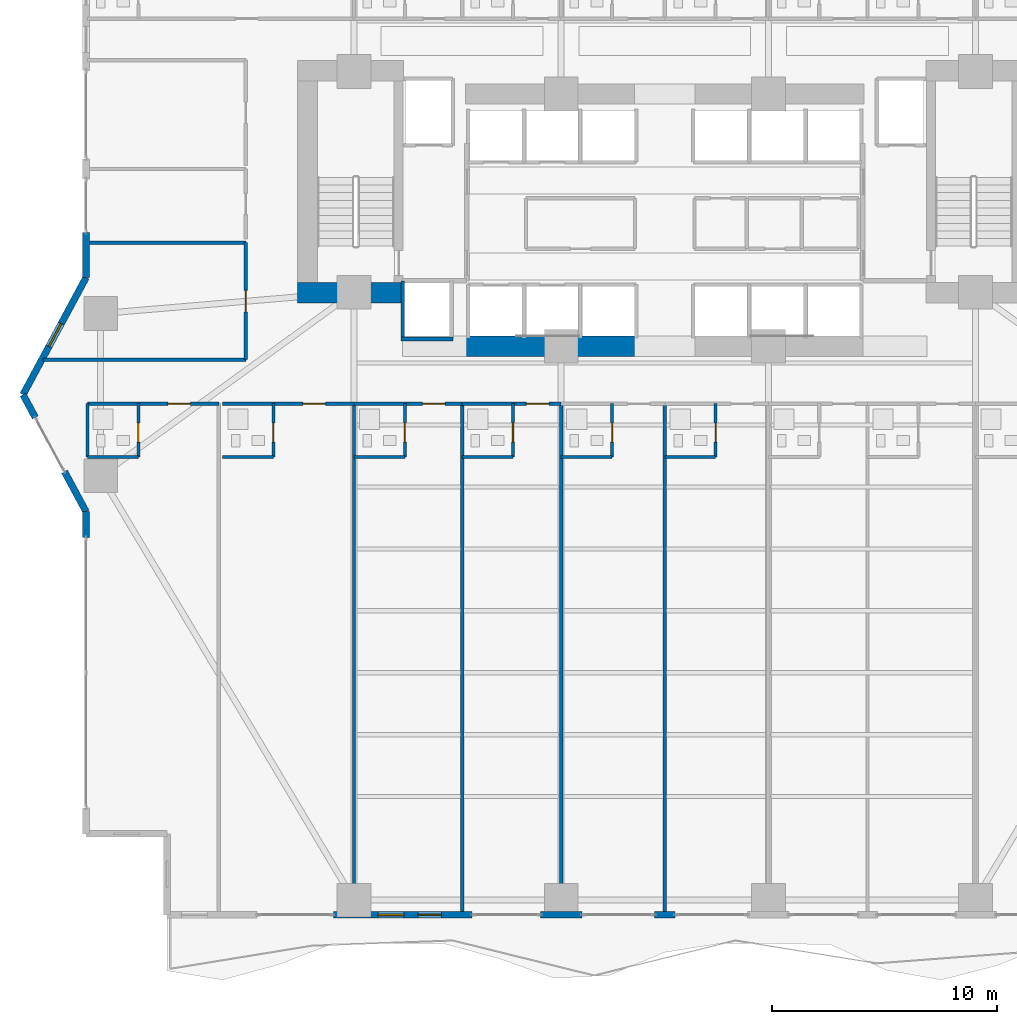
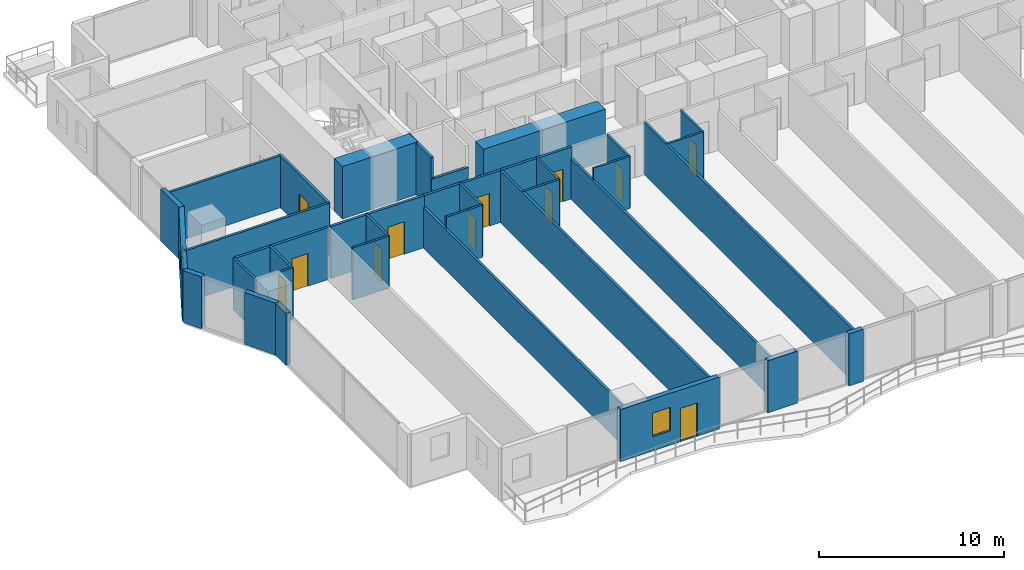
# One storey, part 19 of 29: 36 walls, 12 doors, 2 windows, 14 openings.
"""IFC4 building model written with IfcOpenShell, lengths in metres."""

from ifc_helpers import new_model, si_unit, direction, frame, frame_2d, origin, place, context, subcontext, project, spatial, rectangle, extrude, material, layer, layer_set, type_object, element, fill, save


model = new_model("IFC4")

# Units and contexts
model_context = context("Model", 3, precision=1e-05, world=origin(), true_north=direction((0.0, 1.0)))
body_context = subcontext(model_context, "Body", "Model", "MODEL_VIEW")
ifc_project = project(units=[si_unit("LENGTHUNIT", "METRE"), si_unit("AREAUNIT", "SQUARE_METRE"), si_unit("VOLUMEUNIT", "CUBIC_METRE"), si_unit("PLANEANGLEUNIT", "RADIAN"), si_unit("MASSUNIT", "GRAM", prefix="KILO")], contexts=[model_context])

# Site, building, storey
site_placement = place(None, origin())
site = spatial("IfcSite", under=ifc_project, at=site_placement, CompositionType="ELEMENT")
building_placement = place(site_placement, origin())
building = spatial("IfcBuilding", under=site, at=building_placement, Name="Zuhayl Quay Hotel", CompositionType="ELEMENT")
storey_placement = place(building_placement, frame((0.0, 0.0, 67.75)))
storey = spatial("IfcBuildingStorey", under=building, at=storey_placement, Name="L16", CompositionType="ELEMENT", Elevation=67.75)

# Walls
ifc_material_1 = material(Name="Concrete C70/85", Category="concrete")
ifc_layer_1 = layer(ifc_material_1, 0.89990234375, Name="Concrete C70/85", Category="concrete")
ifc_layer_set_1 = layer_set([ifc_layer_1], Name="Concrete C70/85")
wall_type_1 = type_object("IfcWallType", Name="WL_CORE_900", PredefinedType="SHEAR", material=ifc_layer_set_1)
wall_1_placement = place(storey_placement, frame((-16.31005859375, 4.52001953125, 0.0), z_axis=(0.0, 0.0, 1.0), x_axis=(1.0, 0.0, 0.0)))
element("IfcWall", 1, at=wall_1_placement, inside=storey, type_object=wall_type_1, Name="L16 Core Shear Wall CW_SW", PredefinedType="SHEAR", context=body_context, shape_type="SweptSolid", body=[
    extrude(rectangle(XDim=4.7099609375, YDim=0.89990234375, at=frame_2d((2.35498046875, 0.0))), origin(), (0.0, 0.0, 1.0), 3.4599609375),
])
wall_2_placement = place(storey_placement, frame((-8.85009765625, 2.14990234375, 0.0), z_axis=(0.0, 0.0, 1.0), x_axis=(1.0, 0.0, 0.0)))
element("IfcWall", 2, at=wall_2_placement, inside=storey, type_object=wall_type_1, Name="L16 Core Shear Wall CW_SC_W", PredefinedType="SHEAR", context=body_context, shape_type="SweptSolid", body=[
    extrude(rectangle(XDim=7.60009765625, YDim=0.89990234375, at=frame_2d((3.800048828125, 0.0))), origin(), (0.0, 0.0, 1.0), 3.429931640625),
])
ifc_material_2 = material(Name="Precast concrete C45/55", Category="concrete")
ifc_layer_2 = layer(ifc_material_2, 0.300048828125, Name="Precast concrete C45/55", Category="concrete")
ifc_layer_set_2 = layer_set([ifc_layer_2], Name="Precast concrete C45/55")
wall_type_2 = type_object("IfcWallType", Name="WL_EXT_300", PredefinedType="STANDARD", material=ifc_layer_set_2)
wall_3_placement = place(storey_placement, frame((-25.699951171875, -6.35009765625, 0.0), z_axis=(0.0, 0.0, 1.0), x_axis=(0.0, 1.0, 0.0)))
element("IfcWall", 3, at=wall_3_placement, inside=storey, type_object=wall_type_2, Name="L16 Exterior Precast Wall ENV_L16_E02_EW2", PredefinedType="STANDARD", context=body_context, shape_type="SweptSolid", body=[
    extrude(rectangle(XDim=1.150146484375, YDim=0.300048828125, at=frame_2d((0.5751953125, 0.0))), origin(), (0.0, 0.0, 1.0), 3.429931640625),
])
wall_4_placement = place(storey_placement, frame((-25.699951171875, -5.199951171875, 0.0), z_axis=(0.0, 0.0, 1.0), x_axis=(-0.474121438562, 0.88045946045, 0.0)))
element("IfcWall", 4, at=wall_4_placement, inside=storey, type_object=wall_type_2, Name="L16 Exterior Precast Wall ENV_L16_E03_EW1", PredefinedType="STANDARD", context=body_context, shape_type="SweptSolid", body=[
    extrude(rectangle(XDim=2.0205078125, YDim=0.300048828125, at=frame_2d((1.01025390625, 0.0))), origin(), (0.0, 0.0, 1.0), 3.429931640625),
])
wall_5_placement = place(storey_placement, frame((-27.954833984375, -1.012451171875, 0.0), z_axis=(0.0, 0.0, 1.0), x_axis=(-0.474099823035, 0.880471099922, 0.0)))
element("IfcWall", 5, at=wall_5_placement, inside=storey, type_object=wall_type_2, Name="L16 Exterior Precast Wall ENV_L16_E03_EW2", PredefinedType="STANDARD", context=body_context, shape_type="SweptSolid", body=[
    extrude(rectangle(XDim=1.14990234375, YDim=0.300048828125, at=frame_2d((0.574951171875, 0.0))), origin(), (0.0, 0.0, 1.0), 3.429931640625),
])

# Wall, opening, window
wall_6_placement = place(storey_placement, frame((-28.5, 0.0, 0.0), z_axis=(0.0, 0.0, 1.0), x_axis=(0.474109683532, 0.880465790352, 0.0)))
wall_6 = element("IfcWall", 6, at=wall_6_placement, inside=storey, type_object=wall_type_2, Name="L16 Exterior Precast Wall ENV_L16_E04_EW1", PredefinedType="STANDARD", context=body_context, shape_type="SweptSolid", body=[
    extrude(rectangle(XDim=5.906005859375, YDim=0.300048828125, at=frame_2d((2.953125, 0.0))), origin(), (0.0, 0.0, 1.0), 3.429931640625),
])
opening_1_placement = place(wall_6_placement, frame((2.43212890625, 0.0, 0.949951171875)))
opening_1 = element("IfcOpeningElement", 7, at=opening_1_placement, cuts=wall_6, Name="Opening W01N", PredefinedType="OPENING", context=body_context, shape_type="SweptSolid", body=[
    extrude(rectangle(XDim=1.14990234375, YDim=1.550048828125, at=frame_2d((0.574951171875, 0.77490234375))), frame((0.0, 0.159912109375, 0.0), z_axis=(0.0, -1.0, 0.0), x_axis=(1.0, 0.0, 0.0)), (0.0, 0.0, 1.0), 0.320068359375),
])
ifc_material_3 = material(Name="Dark Ceramic-Fritted Solar Glass", Category="glass")
window_type = type_object("IfcWindowType", Name="WN_NOTCH_1350", PartitioningType="SINGLE_PANEL", PredefinedType="WINDOW", material=ifc_material_3)
window_1_placement = place(opening_1_placement, origin())
window_1 = element("IfcWindow", 8, at=window_1_placement, inside=storey, type_object=window_type, Name="L16 Operable Facade Window 1-1", OverallHeight=1.550048828125, OverallWidth=1.14990234375, PartitioningType="SINGLE_PANEL", PredefinedType="WINDOW", context=body_context, shape_type="SweptSolid", body=[
    extrude(rectangle(XDim=1.14990234375, YDim=1.550048828125, at=frame_2d((0.574951171875, 0.77490234375))), frame((0.0, 0.030029296875, 0.0), z_axis=(0.0, -1.0, 0.0), x_axis=(1.0, 0.0, 0.0)), (0.0, 0.0, 1.0), 0.06005859375),
])
fill(opening_1, window_1)

# Walls
wall_7_placement = place(storey_placement, frame((-25.699951171875, 5.199951171875, 0.0), z_axis=(0.0, 0.0, 1.0), x_axis=(0.0, 1.0, 0.0)))
element("IfcWall", 9, at=wall_7_placement, inside=storey, type_object=wall_type_2, Name="L16 Exterior Precast Wall ENV_L16_E05_EW1", PredefinedType="STANDARD", context=body_context, shape_type="SweptSolid", body=[
    extrude(rectangle(XDim=2.0, YDim=0.300048828125, at=frame_2d((1.0, 0.0))), origin(), (0.0, 0.0, 1.0), 3.429931640625),
])
wall_8_placement = place(storey_placement, frame((0.449951171875, -23.10009765625, 0.0), z_axis=(0.0, 0.0, 1.0), x_axis=(-1.0, 0.0, 0.0)))
element("IfcWall", 10, at=wall_8_placement, inside=storey, type_object=wall_type_2, Name="L16 Exterior Precast Wall ENV_L16_S_EW5", PredefinedType="STANDARD", context=body_context, shape_type="SweptSolid", body=[
    extrude(rectangle(XDim=0.89990234375, YDim=0.300048828125, at=frame_2d((0.449951171875, 0.0))), origin(), (0.0, 0.0, 1.0), 3.429931640625),
])
wall_9_placement = place(storey_placement, frame((-3.679931640625, -23.10009765625, 0.0), z_axis=(0.0, 0.0, 1.0), x_axis=(-1.0, 0.0, 0.0)))
element("IfcWall", 11, at=wall_9_placement, inside=storey, type_object=wall_type_2, Name="L16 Exterior Precast Wall ENV_L16_S_EW6", PredefinedType="STANDARD", context=body_context, shape_type="SweptSolid", body=[
    extrude(rectangle(XDim=1.840087890625, YDim=0.300048828125, at=frame_2d((0.919921875, 0.0))), origin(), (0.0, 0.0, 1.0), 3.429931640625),
])

# Wall, openings, door, window
wall_10_placement = place(storey_placement, frame((-8.550048828125, -23.10009765625, 0.0), z_axis=(0.0, 0.0, 1.0), x_axis=(-1.0, 0.0, 0.0)))
wall_10 = element("IfcWall", 12, at=wall_10_placement, inside=storey, type_object=wall_type_2, Name="L16 Exterior Precast Wall ENV_L16_S_EW7", PredefinedType="STANDARD", context=body_context, shape_type="SweptSolid", body=[
    extrude(rectangle(XDim=6.169921875, YDim=0.300048828125, at=frame_2d((3.0849609375, 0.0))), origin(), (0.0, 0.0, 1.0), 3.429931640625),
])
opening_2_placement = place(wall_10_placement, frame((1.364990234375, 0.0, 0.0)))
opening_2 = element("IfcOpeningElement", 13, at=opening_2_placement, cuts=wall_10, Name="Opening DG1", PredefinedType="OPENING", context=body_context, shape_type="SweptSolid", body=[
    extrude(rectangle(XDim=1.050048828125, YDim=2.199951171875, at=frame_2d((0.52490234375, 1.10009765625))), frame((0.0, 0.159912109375, 0.0), z_axis=(0.0, -1.0, 0.0), x_axis=(1.0, 0.0, 0.0)), (0.0, 0.0, 1.0), 0.320068359375),
])
opening_3_placement = place(wall_10_placement, frame((3.032470703125, 0.0, 0.949951171875)))
opening_3 = element("IfcOpeningElement", 14, at=opening_3_placement, cuts=wall_10, Name="Opening W01N", PredefinedType="OPENING", context=body_context, shape_type="SweptSolid", body=[
    extrude(rectangle(XDim=1.14990234375, YDim=1.550048828125, at=frame_2d((0.574951171875, 0.77490234375))), frame((0.0, 0.159912109375, 0.0), z_axis=(0.0, -1.0, 0.0), x_axis=(1.0, 0.0, 0.0)), (0.0, 0.0, 1.0), 0.320068359375),
])
ifc_material_4 = material(Name="Anodised Aluminium and Dark Solar Glass", Category="aluminium")
door_type_1 = type_object("IfcDoorType", Name="DR_EXT_TERR_1050", OperationType="NOTDEFINED", PredefinedType="DOOR", material=ifc_material_4)
door_1_placement = place(opening_2_placement, origin())
door_1 = element("IfcDoor", 15, at=door_1_placement, inside=storey, type_object=door_type_1, Name="L16 South Rippling Balcony Door", OperationType="SINGLE_SWING_RIGHT", OverallHeight=2.199951171875, OverallWidth=1.050048828125, PredefinedType="DOOR", context=body_context, shape_type="SweptSolid", body=[
    extrude(rectangle(XDim=1.050048828125, YDim=2.199951171875, at=frame_2d((0.52490234375, 1.10009765625))), frame((0.0, 0.02490234375, 0.0), z_axis=(0.0, -1.0, 0.0), x_axis=(1.0, 0.0, 0.0)), (0.0, 0.0, 1.0), 0.050048828125),
])
fill(opening_2, door_1)
window_2_placement = place(opening_3_placement, origin())
window_2 = element("IfcWindow", 16, at=window_2_placement, inside=storey, type_object=window_type, Name="L16 Operable Facade Window 7-1", OverallHeight=1.550048828125, OverallWidth=1.14990234375, PartitioningType="SINGLE_PANEL", PredefinedType="WINDOW", context=body_context, shape_type="SweptSolid", body=[
    extrude(rectangle(XDim=1.14990234375, YDim=1.550048828125, at=frame_2d((0.574951171875, 0.77490234375))), frame((0.0, 0.030029296875, 0.0), z_axis=(0.0, -1.0, 0.0), x_axis=(1.0, 0.0, 0.0)), (0.0, 0.0, 1.0), 0.06005859375),
])
fill(opening_3, window_2)

# Walls
ifc_material_5 = material(Name="Acoustic Gypsum Partition STC-58")
ifc_layer_3 = layer(ifc_material_5, 0.14990234375, Name="Acoustic Gypsum Partition STC-58")
ifc_layer_set_3 = layer_set([ifc_layer_3], Name="Acoustic Gypsum Partition STC-58")
wall_type_3 = type_object("IfcWallType", Name="WL_PART_150", PredefinedType="PARTITIONING", material=ifc_layer_set_3)
wall_11_placement = place(storey_placement, frame((-13.800048828125, -23.02001953125, 0.0), z_axis=(0.0, 0.0, 1.0), x_axis=(0.0, 1.0, 0.0)))
element("IfcWall", 17, at=wall_11_placement, inside=storey, type_object=wall_type_3, Name="L16 Partition IW_L16_SU01B_E", PredefinedType="PARTITIONING", context=body_context, shape_type="SweptSolid", body=[
    extrude(rectangle(XDim=22.6201171875, YDim=0.14990234375, at=frame_2d((11.31005859375, 0.0))), origin(), (0.0, 0.0, 1.0), 2.66796875),
])
wall_12_placement = place(storey_placement, frame((-9.0, -23.02001953125, 0.0), z_axis=(0.0, 0.0, 1.0), x_axis=(0.0, 1.0, 0.0)))
element("IfcWall", 18, at=wall_12_placement, inside=storey, type_object=wall_type_3, Name="L16 Partition IW_L16_SU02_E", PredefinedType="PARTITIONING", context=body_context, shape_type="SweptSolid", body=[
    extrude(rectangle(XDim=22.6201171875, YDim=0.14990234375, at=frame_2d((11.31005859375, 0.0))), origin(), (0.0, 0.0, 1.0), 3.429931640625),
])
wall_13_placement = place(storey_placement, frame((-4.60009765625, -23.02001953125, 0.0), z_axis=(0.0, 0.0, 1.0), x_axis=(0.0, 1.0, 0.0)))
element("IfcWall", 19, at=wall_13_placement, inside=storey, type_object=wall_type_3, Name="L16 Partition IW_L16_SU03_E", PredefinedType="PARTITIONING", context=body_context, shape_type="SweptSolid", body=[
    extrude(rectangle(XDim=22.6201171875, YDim=0.14990234375, at=frame_2d((11.31005859375, 0.0))), origin(), (0.0, 0.0, 1.0), 2.66796875),
])
wall_14_placement = place(storey_placement, frame((0.0, -23.02001953125, 0.0), z_axis=(0.0, 0.0, 1.0), x_axis=(0.0, 1.0, 0.0)))
element("IfcWall", 20, at=wall_14_placement, inside=storey, type_object=wall_type_3, Name="L16 Partition IW_L16_SU04_E", PredefinedType="PARTITIONING", context=body_context, shape_type="SweptSolid", body=[
    extrude(rectangle(XDim=22.6201171875, YDim=0.14990234375, at=frame_2d((11.31005859375, 0.0))), origin(), (0.0, 0.0, 1.0), 3.429931640625),
])
wall_15_placement = place(storey_placement, frame((-27.60546875, 1.550048828125, 0.0), z_axis=(0.0, 0.0, 1.0), x_axis=(1.0, 0.0, 0.0)))
element("IfcWall", 21, at=wall_15_placement, inside=storey, type_object=wall_type_3, Name="L16 Partition IW_L16_WPROW_1_S", PredefinedType="PARTITIONING", context=body_context, shape_type="SweptSolid", body=[
    extrude(rectangle(XDim=9.00537109375, YDim=0.14990234375, at=frame_2d((4.502685546875, 0.0))), origin(), (0.0, 0.0, 1.0), 3.429931640625),
])
wall_16_placement = place(storey_placement, frame((-25.639892578125, 6.75, 0.0), z_axis=(0.0, 0.0, 1.0), x_axis=(1.0, 0.0, 0.0)))
element("IfcWall", 22, at=wall_16_placement, inside=storey, type_object=wall_type_3, Name="L16 Partition IW_L16_WPROW_1_N", PredefinedType="PARTITIONING", context=body_context, shape_type="SweptSolid", body=[
    extrude(rectangle(XDim=7.039794921875, YDim=0.14990234375, at=frame_2d((3.52001953125, 0.0))), origin(), (0.0, 0.0, 1.0), 3.429931640625),
])

# Wall, opening, door
ifc_layer_4 = layer(ifc_material_5, 0.159912109375, Name="Acoustic Gypsum Partition STC-58")
ifc_layer_set_4 = layer_set([ifc_layer_4], Name="Acoustic Gypsum Partition STC-58")
wall_type_4 = type_object("IfcWallType", Name="WL_PART_CORR_160", PredefinedType="PARTITIONING", material=ifc_layer_set_4)
wall_17_placement = place(storey_placement, frame((-25.639892578125, -0.39990234375, 0.0), z_axis=(0.0, 0.0, 1.0), x_axis=(1.0, 0.0, 0.0)))
wall_17 = element("IfcWall", 23, at=wall_17_placement, inside=storey, type_object=wall_type_4, Name="L16 Partition IW_L16_SU01A_COR", PredefinedType="PARTITIONING", context=body_context, shape_type="SweptSolid", body=[
    extrude(rectangle(XDim=5.83984375, YDim=0.159912109375, at=frame_2d((2.919921875, 0.0))), origin(), (0.0, 0.0, 1.0), 3.429931640625),
])
opening_4_placement = place(wall_17_placement, frame((3.570068359375, 0.0, 0.0)))
opening_4 = element("IfcOpeningElement", 24, at=opening_4_placement, cuts=wall_17, Name="Opening D03L", PredefinedType="OPENING", context=body_context, shape_type="SweptSolid", body=[
    extrude(rectangle(XDim=1.0, YDim=2.14990234375, at=frame_2d((0.5, 1.074951171875))), frame((0.0, 0.08984375, 0.0), z_axis=(0.0, -1.0, 0.0), x_axis=(1.0, 0.0, 0.0)), (0.0, 0.0, 1.0), 0.179931640625),
])
ifc_material_6 = material(Name="Solid Walnut Acoustic Fire Door")
door_type_2 = type_object("IfcDoorType", Name="DR_SUITE_1000", OperationType="NOTDEFINED", PredefinedType="DOOR", material=ifc_material_6)
door_2_placement = place(opening_4_placement, origin())
door_2 = element("IfcDoor", 25, at=door_2_placement, inside=storey, type_object=door_type_2, Name="L16 Premier Twin Junior Suite L16-01A Entrance Door", OperationType="SINGLE_SWING_LEFT", OverallHeight=2.14990234375, OverallWidth=1.0, PredefinedType="DOOR", context=body_context, shape_type="SweptSolid", body=[
    extrude(rectangle(XDim=1.0, YDim=2.14990234375, at=frame_2d((0.5, 1.074951171875))), frame((0.0, 0.02490234375, 0.0), z_axis=(0.0, -1.0, 0.0), x_axis=(1.0, 0.0, 0.0)), (0.0, 0.0, 1.0), 0.050048828125),
])
fill(opening_4, door_2)

wall_18_placement = place(storey_placement, frame((-19.639892578125, -0.39990234375, 0.0), z_axis=(0.0, 0.0, 1.0), x_axis=(1.0, 0.0, 0.0)))
wall_18 = element("IfcWall", 26, at=wall_18_placement, inside=storey, type_object=wall_type_4, Name="L16 Partition IW_L16_SU01B_COR", PredefinedType="PARTITIONING", context=body_context, shape_type="SweptSolid", body=[
    extrude(rectangle(XDim=5.83984375, YDim=0.159912109375, at=frame_2d((2.919921875, 0.0))), origin(), (0.0, 0.0, 1.0), 3.429931640625),
])
opening_5_placement = place(wall_18_placement, frame((3.570068359375, 0.0, 0.0)))
opening_5 = element("IfcOpeningElement", 27, at=opening_5_placement, cuts=wall_18, Name="Opening D03L", PredefinedType="OPENING", context=body_context, shape_type="SweptSolid", body=[
    extrude(rectangle(XDim=1.0, YDim=2.14990234375, at=frame_2d((0.5, 1.074951171875))), frame((0.0, 0.08984375, 0.0), z_axis=(0.0, -1.0, 0.0), x_axis=(1.0, 0.0, 0.0)), (0.0, 0.0, 1.0), 0.179931640625),
])
door_3_placement = place(opening_5_placement, origin())
door_3 = element("IfcDoor", 28, at=door_3_placement, inside=storey, type_object=door_type_2, Name="L16 Premier Twin Junior Suite L16-01B Entrance Door", OperationType="SINGLE_SWING_LEFT", OverallHeight=2.14990234375, OverallWidth=1.0, PredefinedType="DOOR", context=body_context, shape_type="SweptSolid", body=[
    extrude(rectangle(XDim=1.0, YDim=2.14990234375, at=frame_2d((0.5, 1.074951171875))), frame((0.0, 0.02490234375, 0.0), z_axis=(0.0, -1.0, 0.0), x_axis=(1.0, 0.0, 0.0)), (0.0, 0.0, 1.0), 0.050048828125),
])
fill(opening_5, door_3)

wall_19_placement = place(storey_placement, frame((-13.800048828125, -0.39990234375, 0.0), z_axis=(0.0, 0.0, 1.0), x_axis=(1.0, 0.0, 0.0)))
wall_19 = element("IfcWall", 29, at=wall_19_placement, inside=storey, type_object=wall_type_4, Name="L16 Partition IW_L16_SU02_COR", PredefinedType="PARTITIONING", context=body_context, shape_type="SweptSolid", body=[
    extrude(rectangle(XDim=4.800048828125, YDim=0.159912109375, at=frame_2d((2.39990234375, 0.0))), origin(), (0.0, 0.0, 1.0), 3.429931640625),
])
opening_6_placement = place(wall_19_placement, frame((3.050048828125, 0.0, 0.0)))
opening_6 = element("IfcOpeningElement", 30, at=opening_6_placement, cuts=wall_19, Name="Opening D03L", PredefinedType="OPENING", context=body_context, shape_type="SweptSolid", body=[
    extrude(rectangle(XDim=1.0, YDim=2.14990234375, at=frame_2d((0.5, 1.074951171875))), frame((0.0, 0.08984375, 0.0), z_axis=(0.0, -1.0, 0.0), x_axis=(1.0, 0.0, 0.0)), (0.0, 0.0, 1.0), 0.179931640625),
])
door_4_placement = place(opening_6_placement, origin())
door_4 = element("IfcDoor", 31, at=door_4_placement, inside=storey, type_object=door_type_2, Name="L16 Premier Twin Junior Suite L16-02 Entrance Door", OperationType="SINGLE_SWING_LEFT", OverallHeight=2.14990234375, OverallWidth=1.0, PredefinedType="DOOR", context=body_context, shape_type="SweptSolid", body=[
    extrude(rectangle(XDim=1.0, YDim=2.14990234375, at=frame_2d((0.5, 1.074951171875))), frame((0.0, 0.02490234375, 0.0), z_axis=(0.0, -1.0, 0.0), x_axis=(1.0, 0.0, 0.0)), (0.0, 0.0, 1.0), 0.050048828125),
])
fill(opening_6, door_4)

wall_20_placement = place(storey_placement, frame((-9.0, -0.39990234375, 0.0), z_axis=(0.0, 0.0, 1.0), x_axis=(1.0, 0.0, 0.0)))
wall_20 = element("IfcWall", 32, at=wall_20_placement, inside=storey, type_object=wall_type_4, Name="L16 Partition IW_L16_SU03_COR", PredefinedType="PARTITIONING", context=body_context, shape_type="SweptSolid", body=[
    extrude(rectangle(XDim=4.39990234375, YDim=0.159912109375, at=frame_2d((2.199951171875, 0.0))), origin(), (0.0, 0.0, 1.0), 3.429931640625),
])
opening_7_placement = place(wall_20_placement, frame((2.85009765625, 0.0, 0.0)))
opening_7 = element("IfcOpeningElement", 33, at=opening_7_placement, cuts=wall_20, Name="Opening D03L", PredefinedType="OPENING", context=body_context, shape_type="SweptSolid", body=[
    extrude(rectangle(XDim=1.0, YDim=2.14990234375, at=frame_2d((0.5, 1.074951171875))), frame((0.0, 0.08984375, 0.0), z_axis=(0.0, -1.0, 0.0), x_axis=(1.0, 0.0, 0.0)), (0.0, 0.0, 1.0), 0.179931640625),
])
door_5_placement = place(opening_7_placement, origin())
door_5 = element("IfcDoor", 34, at=door_5_placement, inside=storey, type_object=door_type_2, Name="L16 Premier Twin Junior Suite L16-03 Entrance Door", OperationType="SINGLE_SWING_LEFT", OverallHeight=2.14990234375, OverallWidth=1.0, PredefinedType="DOOR", context=body_context, shape_type="SweptSolid", body=[
    extrude(rectangle(XDim=1.0, YDim=2.14990234375, at=frame_2d((0.5, 1.074951171875))), frame((0.0, 0.02490234375, 0.0), z_axis=(0.0, -1.0, 0.0), x_axis=(1.0, 0.0, 0.0)), (0.0, 0.0, 1.0), 0.050048828125),
])
fill(opening_7, door_5)

wall_21_placement = place(storey_placement, frame((-18.60009765625, 1.550048828125, 0.0), z_axis=(0.0, 0.0, 1.0), x_axis=(0.0, 1.0, 0.0)))
wall_21 = element("IfcWall", 35, at=wall_21_placement, inside=storey, type_object=wall_type_4, Name="L16 Partition IW_L16_WPROW_1_E", PredefinedType="PARTITIONING", context=body_context, shape_type="SweptSolid", body=[
    extrude(rectangle(XDim=5.199951171875, YDim=0.159912109375, at=frame_2d((2.60009765625, 0.0))), origin(), (0.0, 0.0, 1.0), 3.429931640625),
])
opening_8_placement = place(wall_21_placement, frame((2.125, 0.0, 0.0)))
opening_8 = element("IfcOpeningElement", 36, at=opening_8_placement, cuts=wall_21, Name="Opening D03", PredefinedType="OPENING", context=body_context, shape_type="SweptSolid", body=[
    extrude(rectangle(XDim=0.949951171875, YDim=2.14990234375, at=frame_2d((0.47509765625, 1.074951171875))), frame((0.0, 0.08984375, 0.0), z_axis=(0.0, -1.0, 0.0), x_axis=(1.0, 0.0, 0.0)), (0.0, 0.0, 1.0), 0.179931640625),
])
door_type_3 = type_object("IfcDoorType", Name="DR_SUITE_950", OperationType="NOTDEFINED", PredefinedType="DOOR", material=ifc_material_6)
door_6_placement = place(opening_8_placement, origin())
door_6 = element("IfcDoor", 37, at=door_6_placement, inside=storey, type_object=door_type_3, Name="L16 West Prow Office L16 Door", OperationType="SINGLE_SWING_LEFT", OverallHeight=2.14990234375, OverallWidth=0.949951171875, PredefinedType="DOOR", context=body_context, shape_type="SweptSolid", body=[
    extrude(rectangle(XDim=0.949951171875, YDim=2.14990234375, at=frame_2d((0.47509765625, 1.074951171875))), frame((0.0, 0.02490234375, 0.0), z_axis=(0.0, -1.0, 0.0), x_axis=(1.0, 0.0, 0.0)), (0.0, 0.0, 1.0), 0.050048828125),
])
fill(opening_8, door_6)

ifc_material_7 = material(Name="Moisture-Resistant Sanitarychase Gypsum")
ifc_layer_5 = layer(ifc_material_7, 0.135009765625, Name="Moisture-Resistant Sanitarychase Gypsum")
ifc_layer_set_5 = layer_set([ifc_layer_5], Name="Moisture-Resistant Sanitarychase Gypsum")
wall_type_5 = type_object("IfcWallType", Name="WL_PART_PLUMB_150", PredefinedType="PLUMBINGWALL", material=ifc_layer_set_5)
wall_22_placement = place(storey_placement, frame((-23.3798828125, -2.760009765625, 0.0), z_axis=(0.0, 0.0, 1.0), x_axis=(0.0, 1.0, 0.0)))
wall_22 = element("IfcWall", 38, at=wall_22_placement, inside=storey, type_object=wall_type_5, Name="L16 Partition IW_L16_SU01A_BE", PredefinedType="PLUMBINGWALL", context=body_context, shape_type="SweptSolid", body=[
    extrude(rectangle(XDim=2.360107421875, YDim=0.135009765625, at=frame_2d((1.18017578125, 0.0))), origin(), (0.0, 0.0, 1.0), 3.429931640625),
])
opening_9_placement = place(wall_22_placement, frame((0.64990234375, 0.0, 0.0)))
opening_9 = element("IfcOpeningElement", 39, at=opening_9_placement, cuts=wall_22, Name="Opening D04", PredefinedType="OPENING", context=body_context, shape_type="SweptSolid", body=[
    extrude(rectangle(XDim=0.85009765625, YDim=2.10009765625, at=frame_2d((0.425048828125, 1.050048828125))), frame((0.0, 0.077392578125, 0.0), z_axis=(0.0, -1.0, 0.0), x_axis=(1.0, 0.0, 0.0)), (0.0, 0.0, 1.0), 0.155029296875),
])
ifc_material_8 = material(Name="Moisture-Resistant Walnut Veneer")
door_type_4 = type_object("IfcDoorType", Name="DR_BATH_850", OperationType="NOTDEFINED", PredefinedType="DOOR", material=ifc_material_8)
door_7_placement = place(opening_9_placement, origin())
door_7 = element("IfcDoor", 40, at=door_7_placement, inside=storey, type_object=door_type_4, Name="L16 Premier Twin Junior Suite L16-01A En-Suite Door", OperationType="SINGLE_SWING_RIGHT", OverallHeight=2.10009765625, OverallWidth=0.85009765625, PredefinedType="DOOR", context=body_context, shape_type="SweptSolid", body=[
    extrude(rectangle(XDim=0.85009765625, YDim=2.10009765625, at=frame_2d((0.425048828125, 1.050048828125))), frame((0.0, 0.02490234375, 0.0), z_axis=(0.0, -1.0, 0.0), x_axis=(1.0, 0.0, 0.0)), (0.0, 0.0, 1.0), 0.050048828125),
])
fill(opening_9, door_7)

wall_23_placement = place(storey_placement, frame((-17.3798828125, -2.760009765625, 0.0), z_axis=(0.0, 0.0, 1.0), x_axis=(0.0, 1.0, 0.0)))
wall_23 = element("IfcWall", 41, at=wall_23_placement, inside=storey, type_object=wall_type_5, Name="L16 Partition IW_L16_SU01B_BE", PredefinedType="PLUMBINGWALL", context=body_context, shape_type="SweptSolid", body=[
    extrude(rectangle(XDim=2.360107421875, YDim=0.135009765625, at=frame_2d((1.18017578125, 0.0))), origin(), (0.0, 0.0, 1.0), 3.429931640625),
])
opening_10_placement = place(wall_23_placement, frame((0.64990234375, 0.0, 0.0)))
opening_10 = element("IfcOpeningElement", 42, at=opening_10_placement, cuts=wall_23, Name="Opening D04", PredefinedType="OPENING", context=body_context, shape_type="SweptSolid", body=[
    extrude(rectangle(XDim=0.85009765625, YDim=2.10009765625, at=frame_2d((0.425048828125, 1.050048828125))), frame((0.0, 0.077392578125, 0.0), z_axis=(0.0, -1.0, 0.0), x_axis=(1.0, 0.0, 0.0)), (0.0, 0.0, 1.0), 0.155029296875),
])
door_8_placement = place(opening_10_placement, origin())
door_8 = element("IfcDoor", 43, at=door_8_placement, inside=storey, type_object=door_type_4, Name="L16 Premier Twin Junior Suite L16-01B En-Suite Door", OperationType="SINGLE_SWING_RIGHT", OverallHeight=2.10009765625, OverallWidth=0.85009765625, PredefinedType="DOOR", context=body_context, shape_type="SweptSolid", body=[
    extrude(rectangle(XDim=0.85009765625, YDim=2.10009765625, at=frame_2d((0.425048828125, 1.050048828125))), frame((0.0, 0.02490234375, 0.0), z_axis=(0.0, -1.0, 0.0), x_axis=(1.0, 0.0, 0.0)), (0.0, 0.0, 1.0), 0.050048828125),
])
fill(opening_10, door_8)

wall_24_placement = place(storey_placement, frame((-11.5400390625, -2.760009765625, 0.0), z_axis=(0.0, 0.0, 1.0), x_axis=(0.0, 1.0, 0.0)))
wall_24 = element("IfcWall", 44, at=wall_24_placement, inside=storey, type_object=wall_type_5, Name="L16 Partition IW_L16_SU02_BE", PredefinedType="PLUMBINGWALL", context=body_context, shape_type="SweptSolid", body=[
    extrude(rectangle(XDim=2.360107421875, YDim=0.135009765625, at=frame_2d((1.18017578125, 0.0))), origin(), (0.0, 0.0, 1.0), 3.429931640625),
])
opening_11_placement = place(wall_24_placement, frame((0.64990234375, 0.0, 0.0)))
opening_11 = element("IfcOpeningElement", 45, at=opening_11_placement, cuts=wall_24, Name="Opening D04", PredefinedType="OPENING", context=body_context, shape_type="SweptSolid", body=[
    extrude(rectangle(XDim=0.85009765625, YDim=2.10009765625, at=frame_2d((0.425048828125, 1.050048828125))), frame((0.0, 0.077392578125, 0.0), z_axis=(0.0, -1.0, 0.0), x_axis=(1.0, 0.0, 0.0)), (0.0, 0.0, 1.0), 0.155029296875),
])
door_9_placement = place(opening_11_placement, origin())
door_9 = element("IfcDoor", 46, at=door_9_placement, inside=storey, type_object=door_type_4, Name="L16 Premier Twin Junior Suite L16-02 En-Suite Door", OperationType="SINGLE_SWING_RIGHT", OverallHeight=2.10009765625, OverallWidth=0.85009765625, PredefinedType="DOOR", context=body_context, shape_type="SweptSolid", body=[
    extrude(rectangle(XDim=0.85009765625, YDim=2.10009765625, at=frame_2d((0.425048828125, 1.050048828125))), frame((0.0, 0.02490234375, 0.0), z_axis=(0.0, -1.0, 0.0), x_axis=(1.0, 0.0, 0.0)), (0.0, 0.0, 1.0), 0.050048828125),
])
fill(opening_11, door_9)

wall_25_placement = place(storey_placement, frame((-6.739990234375, -2.760009765625, 0.0), z_axis=(0.0, 0.0, 1.0), x_axis=(0.0, 1.0, 0.0)))
wall_25 = element("IfcWall", 47, at=wall_25_placement, inside=storey, type_object=wall_type_5, Name="L16 Partition IW_L16_SU03_BE", PredefinedType="PLUMBINGWALL", context=body_context, shape_type="SweptSolid", body=[
    extrude(rectangle(XDim=2.360107421875, YDim=0.135009765625, at=frame_2d((1.18017578125, 0.0))), origin(), (0.0, 0.0, 1.0), 3.429931640625),
])
opening_12_placement = place(wall_25_placement, frame((0.64990234375, 0.0, 0.0)))
opening_12 = element("IfcOpeningElement", 48, at=opening_12_placement, cuts=wall_25, Name="Opening D04", PredefinedType="OPENING", context=body_context, shape_type="SweptSolid", body=[
    extrude(rectangle(XDim=0.85009765625, YDim=2.10009765625, at=frame_2d((0.425048828125, 1.050048828125))), frame((0.0, 0.077392578125, 0.0), z_axis=(0.0, -1.0, 0.0), x_axis=(1.0, 0.0, 0.0)), (0.0, 0.0, 1.0), 0.155029296875),
])
door_10_placement = place(opening_12_placement, origin())
door_10 = element("IfcDoor", 49, at=door_10_placement, inside=storey, type_object=door_type_4, Name="L16 Premier Twin Junior Suite L16-03 En-Suite Door", OperationType="SINGLE_SWING_RIGHT", OverallHeight=2.10009765625, OverallWidth=0.85009765625, PredefinedType="DOOR", context=body_context, shape_type="SweptSolid", body=[
    extrude(rectangle(XDim=0.85009765625, YDim=2.10009765625, at=frame_2d((0.425048828125, 1.050048828125))), frame((0.0, 0.02490234375, 0.0), z_axis=(0.0, -1.0, 0.0), x_axis=(1.0, 0.0, 0.0)), (0.0, 0.0, 1.0), 0.050048828125),
])
fill(opening_12, door_10)

wall_26_placement = place(storey_placement, frame((-2.340087890625, -2.760009765625, 0.0), z_axis=(0.0, 0.0, 1.0), x_axis=(0.0, 1.0, 0.0)))
wall_26 = element("IfcWall", 50, at=wall_26_placement, inside=storey, type_object=wall_type_5, Name="L16 Partition IW_L16_SU04_BE", PredefinedType="PLUMBINGWALL", context=body_context, shape_type="SweptSolid", body=[
    extrude(rectangle(XDim=2.360107421875, YDim=0.135009765625, at=frame_2d((1.18017578125, 0.0))), origin(), (0.0, 0.0, 1.0), 3.429931640625),
])
opening_13_placement = place(wall_26_placement, frame((0.64990234375, 0.0, 0.0)))
opening_13 = element("IfcOpeningElement", 51, at=opening_13_placement, cuts=wall_26, Name="Opening D04", PredefinedType="OPENING", context=body_context, shape_type="SweptSolid", body=[
    extrude(rectangle(XDim=0.85009765625, YDim=2.10009765625, at=frame_2d((0.425048828125, 1.050048828125))), frame((0.0, 0.077392578125, 0.0), z_axis=(0.0, -1.0, 0.0), x_axis=(1.0, 0.0, 0.0)), (0.0, 0.0, 1.0), 0.155029296875),
])
door_11_placement = place(opening_13_placement, origin())
door_11 = element("IfcDoor", 52, at=door_11_placement, inside=storey, type_object=door_type_4, Name="L16 Premier Twin Junior Suite L16-04 En-Suite Door", OperationType="SINGLE_SWING_RIGHT", OverallHeight=2.10009765625, OverallWidth=0.85009765625, PredefinedType="DOOR", context=body_context, shape_type="SweptSolid", body=[
    extrude(rectangle(XDim=0.85009765625, YDim=2.10009765625, at=frame_2d((0.425048828125, 1.050048828125))), frame((0.0, 0.02490234375, 0.0), z_axis=(0.0, -1.0, 0.0), x_axis=(1.0, 0.0, 0.0)), (0.0, 0.0, 1.0), 0.050048828125),
])
fill(opening_13, door_11)

wall_27_placement = place(storey_placement, frame((2.260009765625, -2.760009765625, 0.0), z_axis=(0.0, 0.0, 1.0), x_axis=(0.0, 1.0, 0.0)))
wall_27 = element("IfcWall", 53, at=wall_27_placement, inside=storey, type_object=wall_type_5, Name="L16 Partition IW_L16_SU05_BE", PredefinedType="PLUMBINGWALL", context=body_context, shape_type="SweptSolid", body=[
    extrude(rectangle(XDim=2.360107421875, YDim=0.135009765625, at=frame_2d((1.18017578125, 0.0))), origin(), (0.0, 0.0, 1.0), 3.429931640625),
])
opening_14_placement = place(wall_27_placement, frame((0.64990234375, 0.0, 0.0)))
opening_14 = element("IfcOpeningElement", 54, at=opening_14_placement, cuts=wall_27, Name="Opening D04", PredefinedType="OPENING", context=body_context, shape_type="SweptSolid", body=[
    extrude(rectangle(XDim=0.85009765625, YDim=2.10009765625, at=frame_2d((0.425048828125, 1.050048828125))), frame((0.0, 0.077392578125, 0.0), z_axis=(0.0, -1.0, 0.0), x_axis=(1.0, 0.0, 0.0)), (0.0, 0.0, 1.0), 0.155029296875),
])
door_12_placement = place(opening_14_placement, origin())
door_12 = element("IfcDoor", 55, at=door_12_placement, inside=storey, type_object=door_type_4, Name="L16 Premier Twin Junior Suite L16-05 En-Suite Door", OperationType="SINGLE_SWING_RIGHT", OverallHeight=2.10009765625, OverallWidth=0.85009765625, PredefinedType="DOOR", context=body_context, shape_type="SweptSolid", body=[
    extrude(rectangle(XDim=0.85009765625, YDim=2.10009765625, at=frame_2d((0.425048828125, 1.050048828125))), frame((0.0, 0.02490234375, 0.0), z_axis=(0.0, -1.0, 0.0), x_axis=(1.0, 0.0, 0.0)), (0.0, 0.0, 1.0), 0.050048828125),
])
fill(opening_14, door_12)

# Walls
wall_28_placement = place(storey_placement, frame((-25.639892578125, -2.760009765625, 0.0), z_axis=(0.0, 0.0, 1.0), x_axis=(1.0, 0.0, 0.0)))
element("IfcWall", 56, at=wall_28_placement, inside=storey, type_object=wall_type_5, Name="L16 Partition IW_L16_SU01A_BS", PredefinedType="PLUMBINGWALL", context=body_context, shape_type="SweptSolid", body=[
    extrude(rectangle(XDim=2.260009765625, YDim=0.135009765625, at=frame_2d((1.1298828125, 0.0))), origin(), (0.0, 0.0, 1.0), 3.429931640625),
])
wall_29_placement = place(storey_placement, frame((-25.639892578125, -2.760009765625, 0.0), z_axis=(0.0, 0.0, 1.0), x_axis=(0.0, 1.0, 0.0)))
element("IfcWall", 57, at=wall_29_placement, inside=storey, type_object=wall_type_5, Name="L16 Partition IW_L16_SU01A_BW", PredefinedType="PLUMBINGWALL", context=body_context, shape_type="SweptSolid", body=[
    extrude(rectangle(XDim=2.360107421875, YDim=0.135009765625, at=frame_2d((1.18017578125, 0.0))), origin(), (0.0, 0.0, 1.0), 3.429931640625),
])
for number, where, z_axis, x_axis, name in (
    (58, (-19.639892578125, -2.760009765625, 0.0), (0.0, 0.0, 1.0), (1.0, 0.0, 0.0), "L16 Partition IW_L16_SU01B_BS"),
    (59, (-13.800048828125, -2.760009765625, 0.0), (0.0, 0.0, 1.0), (1.0, 0.0, 0.0), "L16 Partition IW_L16_SU02_BS"),
    (60, (-9.0, -2.760009765625, 0.0), (0.0, 0.0, 1.0), (1.0, 0.0, 0.0), "L16 Partition IW_L16_SU03_BS"),
    (61, (-4.60009765625, -2.760009765625, 0.0), (0.0, 0.0, 1.0), (1.0, 0.0, 0.0), "L16 Partition IW_L16_SU04_BS"),
    (62, (0.0, -2.760009765625, 0.0), (0.0, 0.0, 1.0), (1.0, 0.0, 0.0), "L16 Partition IW_L16_SU05_BS"),
):
    element("IfcWall", number, at=place(storey_placement, frame(where, z_axis=z_axis, x_axis=x_axis)), inside=storey, type_object=wall_type_5, Name=name, PredefinedType="PLUMBINGWALL", context=body_context, shape_type="SweptSolid", body=[
        extrude(rectangle(XDim=2.260009765625, YDim=0.135009765625, at=frame_2d((1.1298828125, 0.0))), origin(), (0.0, 0.0, 1.0), 3.429931640625),
    ])
ifc_material_9 = material(Name="Gypsum Fireboard Assembly EI-90")
ifc_layer_6 = layer(ifc_material_9, 0.1650390625, Name="Gypsum Fireboard Assembly EI-90")
ifc_layer_set_6 = layer_set([ifc_layer_6], Name="Gypsum Fireboard Assembly EI-90")
wall_type_6 = type_object("IfcWallType", Name="WL_PART_SHAFT_160", PredefinedType="PARTITIONING", material=ifc_layer_set_6)
wall_30_placement = place(storey_placement, frame((-11.6298828125, 2.469970703125, 0.0), z_axis=(0.0, 0.0, 1.0), x_axis=(0.0, 1.0, 0.0)))
element("IfcWall", 63, at=wall_30_placement, inside=storey, type_object=wall_type_6, Name="L16 Partition IW_L16_RISER_W", PredefinedType="PARTITIONING", context=body_context, shape_type="SweptSolid", body=[
    extrude(rectangle(XDim=2.580078125, YDim=0.1650390625, at=frame_2d((1.2900390625, 0.0))), origin(), (0.0, 0.0, 1.0), 3.429931640625),
])
wall_31_placement = place(storey_placement, frame((-11.7099609375, 2.469970703125, 0.0), z_axis=(0.0, 0.0, 1.0), x_axis=(1.0, 0.0, 0.0)))
element("IfcWall", 64, at=wall_31_placement, inside=storey, type_object=wall_type_6, Name="L16 Partition IW_L16_RISER_S", PredefinedType="PARTITIONING", context=body_context, shape_type="SweptSolid", body=[
    extrude(rectangle(XDim=2.31005859375, YDim=0.1650390625, at=frame_2d((1.155029296875, 0.0))), origin(), (0.0, 0.0, 1.0), 2.030029296875),
])

save(model, "model.ifc")
